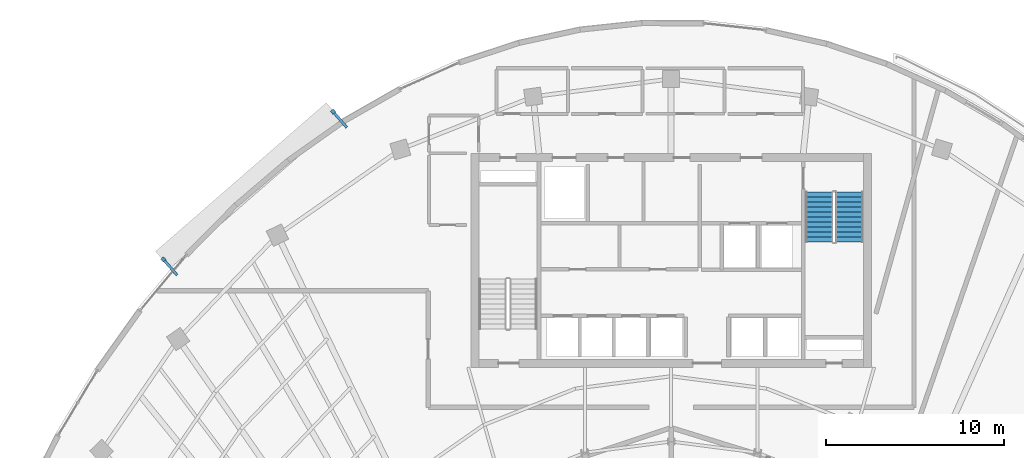
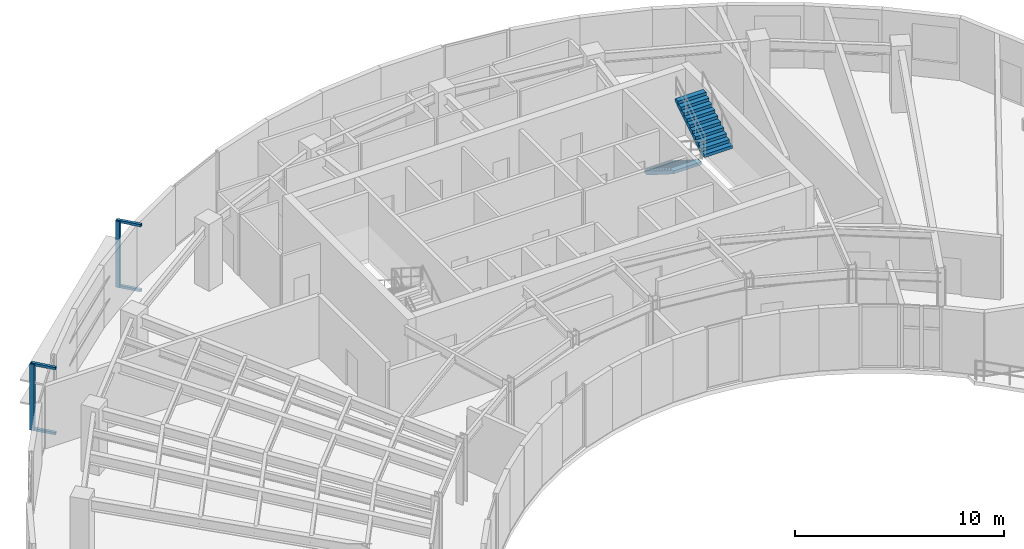
# One storey, part 11 of 15: 6 discrete accessories, 2 stair flights, 1 element without a shape of its own.
"""IFC4 building model written with IfcOpenShell, lengths in metres."""

from ifc_helpers import new_model, si_unit, direction, frame, origin, origin_2d, place, context, subcontext, project, spatial, polyline, rectangle, outline, extrude, source, transform, mapped, material, type_object, type_shapes, element, aggregate, save


model = new_model("IFC4")

# Units and contexts
model_context = context("Model", 3, precision=1e-05, world=origin(), true_north=direction((0.0, 1.0)))
body_context = subcontext(model_context, "Body", "Model", "MODEL_VIEW")
ifc_project = project(units=[si_unit("LENGTHUNIT", "METRE"), si_unit("AREAUNIT", "SQUARE_METRE"), si_unit("VOLUMEUNIT", "CUBIC_METRE"), si_unit("PLANEANGLEUNIT", "RADIAN"), si_unit("MASSUNIT", "GRAM", prefix="KILO")], contexts=[model_context])

# Site, building, storey
site_placement = place(None, origin())
site = spatial("IfcSite", under=ifc_project, at=site_placement, CompositionType="ELEMENT")
building_placement = place(site_placement, origin())
building = spatial("IfcBuilding", under=site, at=building_placement, Name="Breltana Convention Tower", CompositionType="ELEMENT")
storey_placement = place(building_placement, frame((0.0, 0.0, 231.300048828125)))
storey = spatial("IfcBuildingStorey", under=building, at=storey_placement, Name="L56", CompositionType="ELEMENT", Elevation=231.300048828125)

# Stair, stair flights
ifc_material_1 = material(Name="Concrete C40/50", Category="concrete")
stair_type = type_object("IfcStairType", Name="ST-DOG-1560-R177", PredefinedType="HALF_TURN_STAIR", material=ifc_material_1)
stair_placement = place(storey_placement, origin())
stair = element("IfcStair", 1, at=stair_placement, inside=storey, type_object=stair_type, Name="L56 Protected Core Exit Stair ST-2", PredefinedType="HALF_TURN_STAIR")
stair_flight_type = type_object("IfcStairFlightType", Name="STF-DOG-1560-N11-R177", PredefinedType="STRAIGHT", material=ifc_material_1)
stair_flight_1_placement = place(storey_placement, frame((56.31005859375, 70.0400390625, 0.0), z_axis=(0.0, 0.0, 1.0), x_axis=(0.0, -1.0, 0.0)))
stair_flight_1 = element("IfcStairFlight", 2, at=stair_flight_1_placement, type_object=stair_flight_type, Name="ST-2 flight 1", NumberOfRisers=11, NumberOfTreads=10, PredefinedType="STRAIGHT", RiserHeight=0.177272727, TreadLength=0.28, context=body_context, shape_type="SweptSolid", body=[
    extrude(outline(polyline([(0.0, 0.0), (0.0, 0.17724609375), (0.280029296875, 0.17724609375), (0.280029296875, 0.3544921875), (0.56005859375, 0.3544921875), (0.56005859375, 0.53173828125), (0.840087890625, 0.53173828125), (0.840087890625, 0.708984375), (1.1201171875, 0.708984375), (1.1201171875, 0.886474609375), (1.39990234375, 0.886474609375), (1.39990234375, 1.063720703125), (1.679931640625, 1.063720703125), (1.679931640625, 1.240966796875), (1.9599609375, 1.240966796875), (1.9599609375, 1.418212890625), (2.239990234375, 1.418212890625), (2.239990234375, 1.595458984375), (2.52001953125, 1.595458984375), (2.52001953125, 1.772705078125), (2.800048828125, 1.772705078125), (2.800048828125, 1.949951171875), (2.800048828125, 1.59521484375), (0.2802734375, 0.0), (0.0, 0.0)])), frame((0.0, 0.780029296875, 0.0), z_axis=(0.0, -1.0, 0.0), x_axis=(1.0, 0.0, 0.0)), (0.0, 0.0, 1.0), 1.56005859375),
])
stair_flight_2_placement = place(storey_placement, frame((58.02001953125, 67.239990234375, 1.949951171875), z_axis=(0.0, 0.0, 1.0), x_axis=(0.0, 1.0, 0.0)))
stair_flight_2 = element("IfcStairFlight", 3, at=stair_flight_2_placement, type_object=stair_flight_type, Name="ST-2 flight 2", NumberOfRisers=11, NumberOfTreads=10, PredefinedType="STRAIGHT", RiserHeight=0.177272727, TreadLength=0.28, context=body_context, shape_type="SweptSolid", body=[
    extrude(outline(polyline([(0.0, 0.0), (0.0, 0.17724609375), (0.280029296875, 0.17724609375), (0.280029296875, 0.3544921875), (0.56005859375, 0.3544921875), (0.56005859375, 0.53173828125), (0.840087890625, 0.53173828125), (0.840087890625, 0.708984375), (1.1201171875, 0.708984375), (1.1201171875, 0.886474609375), (1.39990234375, 0.886474609375), (1.39990234375, 1.063720703125), (1.679931640625, 1.063720703125), (1.679931640625, 1.240966796875), (1.9599609375, 1.240966796875), (1.9599609375, 1.418212890625), (2.239990234375, 1.418212890625), (2.239990234375, 1.595458984375), (2.52001953125, 1.595458984375), (2.52001953125, 1.772705078125), (2.800048828125, 1.772705078125), (2.800048828125, 1.949951171875), (2.800048828125, 1.59521484375), (0.2802734375, 0.0), (0.0, 0.0)])), frame((0.0, 0.780029296875, 0.0), z_axis=(0.0, -1.0, 0.0), x_axis=(1.0, 0.0, 0.0)), (0.0, 0.0, 1.0), 1.56005859375),
])
aggregate(stair, [stair_flight_1, stair_flight_2])

# Discrete accessories
ifc_material_2 = material(Name="Steel S355", Category="steel")
discrete_accessory_type_1 = type_object("IfcDiscreteAccessoryType", Name="ACC-DSF-BRACKET-150", PredefinedType="BRACKET", material=ifc_material_2)
shared_shape_1 = source(origin(), body_context, "Body", "SweptSolid", [
    extrude(rectangle(XDim=1.239990234375, YDim=0.14990234375, at=origin_2d()), origin(), (0.0, 0.0, 1.0), 0.139892578125),
])
type_shapes(discrete_accessory_type_1, [shared_shape_1])
for number, where, z_axis, x_axis, name in (
    (4, (19.84619140625, 65.84716796875, -0.16015625), (0.0, 0.0, 1.0), (-0.656450428512, 0.754369163544, 0.0), "L56 double-skin slab stand-off bracket 1.1B"),
    (5, (19.84619140625, 65.84716796875, 3.64990234375), (0.0, 0.0, 1.0), (-0.656450428512, 0.754369163544, 0.0), "L56 double-skin slab stand-off bracket 1.1T"),
    (6, (29.37841796875, 74.14208984375, -0.16015625), (0.0, 0.0, 1.0), (-0.656450428512, 0.754369163544, 0.0), "L56 double-skin slab stand-off bracket 1.2B"),
    (7, (29.37841796875, 74.14208984375, 3.64990234375), (0.0, 0.0, 1.0), (-0.656450428512, 0.754369163544, 0.0), "L56 double-skin slab stand-off bracket 1.2T"),
):
    element("IfcDiscreteAccessory", number, at=place(storey_placement, frame(where, z_axis=z_axis, x_axis=x_axis)), inside=storey, type_object=discrete_accessory_type_1, Name=name, PredefinedType="BRACKET", context=body_context, shape_type="MappedRepresentation", body=[
        mapped(shared_shape_1, transform((0.0, 0.0, 0.0), scale=1.0)),
    ])
discrete_accessory_type_2 = type_object("IfcDiscreteAccessoryType", Name="ACC-DSF-CARRIER-150", PredefinedType="BRACKET", material=ifc_material_2)
shared_shape_2 = source(origin(), body_context, "Body", "SweptSolid", [
    extrude(rectangle(XDim=0.219970703125, YDim=0.219970703125, at=origin_2d()), origin(), (0.0, 0.0, 1.0), 3.8701171875),
])
for number, where, z_axis, x_axis, name in (
    (8, (19.478515625, 66.26953125, -0.1201171875), (0.0, 0.0, 1.0), (-0.656450428512, 0.754369163544, 0.0), "L56 double-skin outer vertical carrier 1.1"),
    (9, (29.0107421875, 74.564453125, -0.1201171875), (0.0, 0.0, 1.0), (-0.656450428512, 0.754369163544, 0.0), "L56 double-skin outer vertical carrier 1.2"),
):
    element("IfcDiscreteAccessory", number, at=place(storey_placement, frame(where, z_axis=z_axis, x_axis=x_axis)), inside=storey, type_object=discrete_accessory_type_2, Name=name, PredefinedType="BRACKET", context=body_context, shape_type="MappedRepresentation", body=[
        mapped(shared_shape_2, transform((0.0, 0.0, 0.0), scale=1.0)),
    ])

save(model, "model.ifc")
